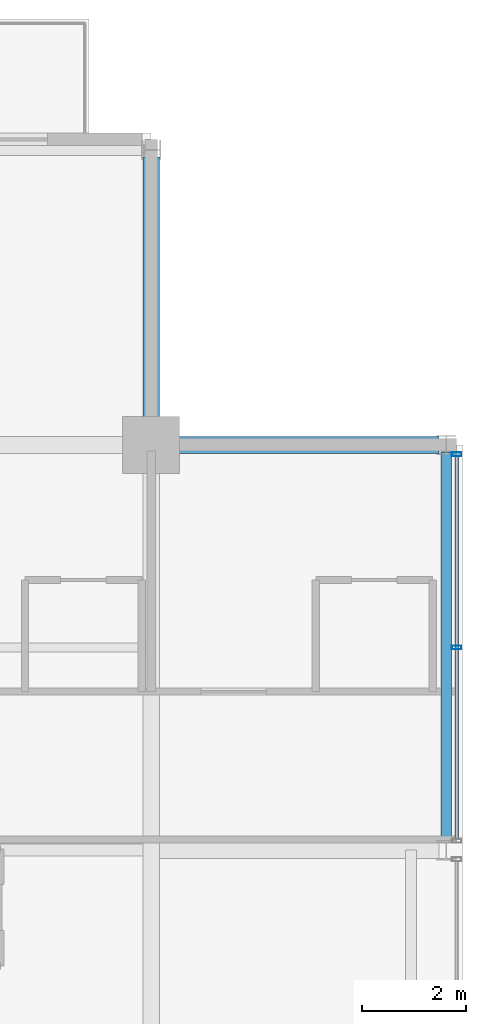
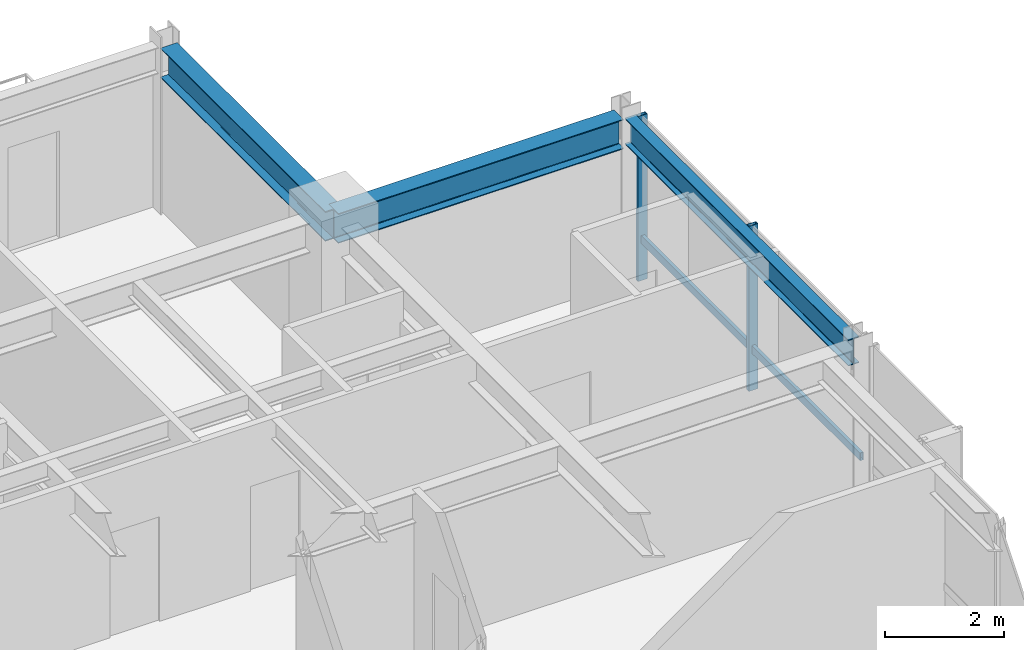
# One storey, part 25 of 33: 3 beams, 3 members, 1 element without a shape of its own.
"""IFC4 building model written with IfcOpenShell, lengths in metres."""

from ifc_helpers import new_model, si_unit, direction, frame, origin, origin_2d, place, context, subcontext, project, spatial, hollow_rectangle, i_section, extrude, material, layer, layer_set, material_profile, profile_set, type_object, element, aggregate, save


model = new_model("IFC4")

# Units and contexts
model_context = context("Model", 3, precision=1e-05, world=origin(), true_north=direction((0.0, 1.0)))
body_context = subcontext(model_context, "Body", "Model", "MODEL_VIEW")
ifc_project = project(units=[si_unit("LENGTHUNIT", "METRE"), si_unit("AREAUNIT", "SQUARE_METRE"), si_unit("VOLUMEUNIT", "CUBIC_METRE"), si_unit("PLANEANGLEUNIT", "RADIAN"), si_unit("MASSUNIT", "GRAM", prefix="KILO")], contexts=[model_context])

# Site, building, storey
site_placement = place(None, origin())
site = spatial("IfcSite", under=ifc_project, at=site_placement, CompositionType="ELEMENT")
building_placement = place(site_placement, origin())
building = spatial("IfcBuilding", under=site, at=building_placement, Name="Drelvath Grand Hotel", CompositionType="ELEMENT")
storey_placement = place(building_placement, frame((0.0, 0.0, 268.64990234375)))
storey = spatial("IfcBuildingStorey", under=building, at=storey_placement, Name="L70", CompositionType="ELEMENT", Elevation=268.64990234375)

# Curtain wall, members
ifc_material_1 = material(Name="Platinum-Mist Anodised Aluminium Frame", Category="aluminium")
ifc_layer = layer(ifc_material_1, 0.199951171875)
ifc_layer_set = layer_set([ifc_layer], Name="Platinum-Mist Anodised Aluminium Frame")
curtain_wall_type = type_object("IfcCurtainWallType", Name="Stick Curtain Wall CW-05 Platinum Mist High-Rise", PredefinedType="NOTDEFINED", material=ifc_layer_set)
curtain_wall_placement = place(storey_placement, origin())
curtain_wall = element("IfcCurtainWall", 1, at=curtain_wall_placement, inside=storey, type_object=curtain_wall_type, Name="L70 CW-05 Curtain Wall CW05-L70-EN2", PredefinedType="NOTDEFINED")
ifc_material_profile_1 = material_profile(ifc_material_1, hollow_rectangle(XDim=0.06494140625, YDim=0.159912109375, WallThickness=0.00390625, at=origin_2d()), Name="HSS160X65X4")
ifc_profile_set_1 = profile_set([ifc_material_profile_1], Name="Platinum-Mist Anodised Aluminium Frame")
member_type_1 = type_object("IfcMemberType", Name="Curtain Wall Horizontal Transom CW-05 HSS160X65X4", PredefinedType="USERDEFINED", material=ifc_profile_set_1)
member_1_placement = place(storey_placement, frame((22.080078125, 42.981689453125, 0.84765625), z_axis=(0.0, -1.0, 0.0), x_axis=(1.0, 0.0, 0.0)))
member_1 = element("IfcMember", 2, at=member_1_placement, type_object=member_type_1, Name="CW05-L70-EN2 Sill Transom", ObjectType="TRANSOM", PredefinedType="USERDEFINED", context=body_context, shape_type="SweptSolid", body=[
    extrude(hollow_rectangle(XDim=0.06494140625, YDim=0.159912109375, WallThickness=0.00390625, at=origin_2d()), origin(), (0.0, 0.0, 1.0), 7.363525390625),
])
ifc_material_profile_2 = material_profile(ifc_material_1, hollow_rectangle(XDim=0.074951171875, YDim=0.179931640625, WallThickness=0.0048828125, at=origin_2d()), Name="HSS180X75X5")
ifc_profile_set_2 = profile_set([ifc_material_profile_2], Name="Platinum-Mist Anodised Aluminium Frame")
member_type_2 = type_object("IfcMemberType", Name="Curtain Wall Vertical Mullion CW-05 HSS180X75X5", PredefinedType="MULLION", material=ifc_profile_set_2)
member_2_placement = place(storey_placement, frame((22.080078125, 43.021728515625, 0.0), z_axis=(0.0, 0.0, 1.0), x_axis=(0.0, 1.0, 0.0)))
member_2 = element("IfcMember", 3, at=member_2_placement, type_object=member_type_2, Name="CW05-L70-EN2 Mullion 1", PredefinedType="MULLION", context=body_context, shape_type="SweptSolid", body=[
    extrude(hollow_rectangle(XDim=0.074951171875, YDim=0.179931640625, WallThickness=0.0048828125, at=origin_2d()), origin(), (0.0, 0.0, 1.0), 3.39013671875),
])
member_3_placement = place(storey_placement, frame((22.080078125, 39.300048828125, 0.0), z_axis=(0.0, 0.0, 1.0), x_axis=(0.0, 1.0, 0.0)))
member_3 = element("IfcMember", 4, at=member_3_placement, type_object=member_type_2, Name="CW05-L70-EN2 Mullion 2", PredefinedType="MULLION", context=body_context, shape_type="SweptSolid", body=[
    extrude(hollow_rectangle(XDim=0.074951171875, YDim=0.179931640625, WallThickness=0.0048828125, at=origin_2d()), origin(), (0.0, 0.0, 1.0), 3.39013671875),
])
aggregate(curtain_wall, [member_2, member_3, member_1])

# Beams
ifc_material_2 = material(Name="Steel ASTM A992 Gr 50", Category="steel")
ifc_material_profile_3 = material_profile(ifc_material_2, i_section(OverallWidth=0.210205078125, OverallDepth=0.53662109375, WebThickness=0.010986328125, FlangeThickness=0.017333984375, FilletRadius=0.01806640625, at=origin_2d()), Name="W21X68")
ifc_profile_set_3 = profile_set([ifc_material_profile_3], Name="Steel ASTM A992 Gr 50")
beam_type_1 = type_object("IfcBeamType", Name="Perimeter Spandrel Beam W21X68", PredefinedType="SPANDREL", material=ifc_profile_set_3)
beam_placement = place(storey_placement, frame((21.8798828125, 35.5400390625, 3.121826171875), z_axis=(0.0, 1.0, 0.0), x_axis=(-1.0, 0.0, 0.0)))
element("IfcBeam", 5, at=beam_placement, inside=storey, type_object=beam_type_1, Name="L70 Spandrel East N", PredefinedType="SPANDREL", context=body_context, shape_type="SweptSolid", body=[
    extrude(i_section(OverallWidth=0.210205078125, OverallDepth=0.53662109375, WebThickness=0.010986328125, FlangeThickness=0.017333984375, FilletRadius=0.01806640625, at=origin_2d()), origin(), (0.0, 0.0, 1.0), 7.52001953125),
])
ifc_material_profile_4 = material_profile(ifc_material_2, i_section(OverallWidth=0.323974609375, OverallDepth=0.611083984375, WebThickness=0.0126953125, FlangeThickness=0.01904296875, FilletRadius=0.02197265625, at=origin_2d()), Name="W24X104")
ifc_profile_set_4 = profile_set([ifc_material_profile_4], Name="Steel ASTM A992 Gr 50")
beam_type_2 = type_object("IfcBeamType", Name="Primary Floor Girder W24X104", PredefinedType="BEAM", material=ifc_profile_set_4)
for number, where, z_axis, x_axis, name in (
    (6, (16.199951171875, 43.199951171875, 3.084716796875), (1.0, 0.0, 0.0), (0.0, 1.0, 0.0), "L70 East Grid Girder G"),
    (7, (16.199951171875, 43.199951171875, 3.084716796875), (0.0, 1.0, 0.0), (-1.0, 0.0, 0.0), "L70 North Grid Girder 7"),
):
    element("IfcBeam", number, at=place(storey_placement, frame(where, z_axis=z_axis, x_axis=x_axis)), inside=storey, type_object=beam_type_2, Name=name, PredefinedType="BEAM", context=body_context, shape_type="SweptSolid", body=[
        extrude(i_section(OverallWidth=0.323974609375, OverallDepth=0.611083984375, WebThickness=0.0126953125, FlangeThickness=0.01904296875, FilletRadius=0.02197265625, at=origin_2d()), origin(), (0.0, 0.0, 1.0), 5.5400390625),
    ])

save(model, "model.ifc")
